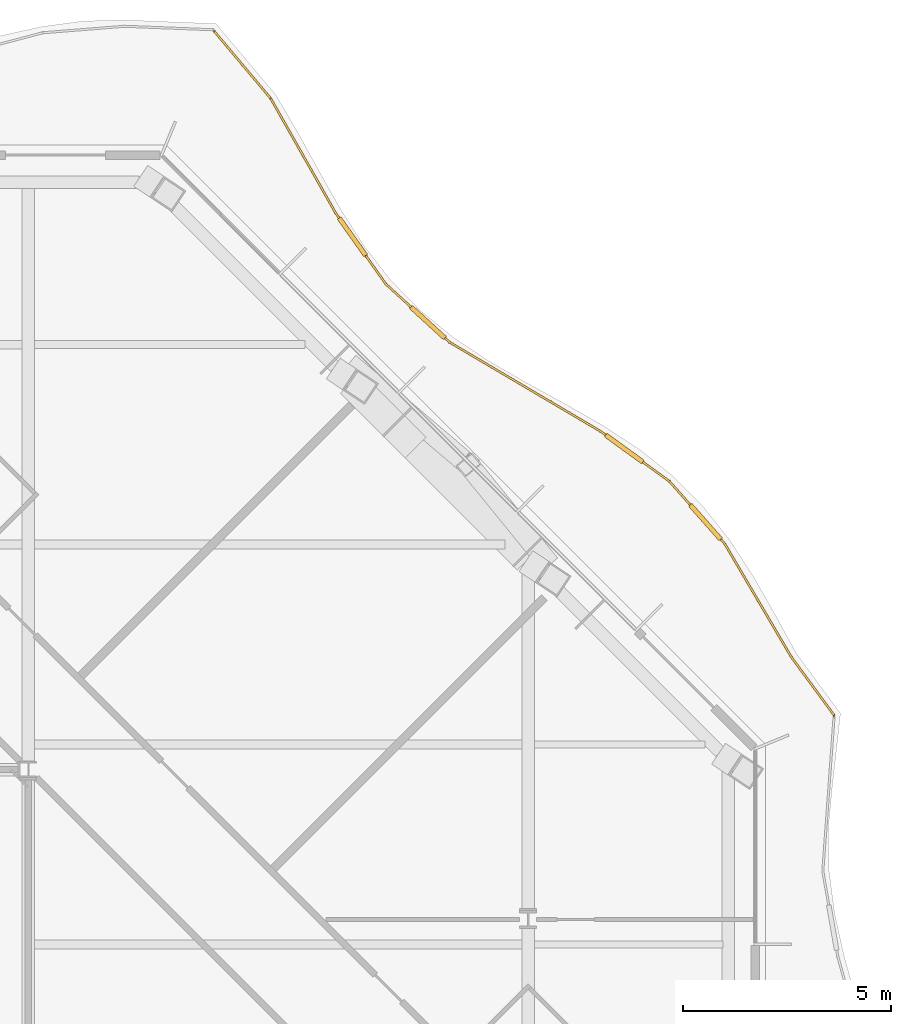
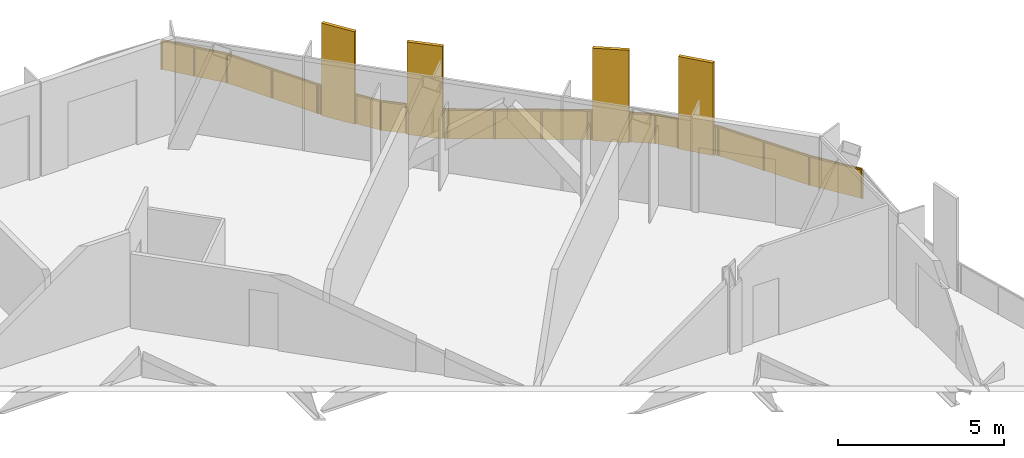
# One storey, part 21 of 21: 1 railing.
"""IFC4 building model written with IfcOpenShell, lengths in metres."""

from ifc_helpers import new_model, si_unit, direction, frame, origin, origin_2d, place, context, subcontext, project, spatial, polyline, rectangle, outline, extrude, material, type_object, element, save


model = new_model("IFC4")

# Units and contexts
model_context = context("Model", 3, precision=1e-05, world=origin(), true_north=direction((0.0, 1.0)))
body_context = subcontext(model_context, "Body", "Model", "MODEL_VIEW")
ifc_project = project(units=[si_unit("LENGTHUNIT", "METRE"), si_unit("AREAUNIT", "SQUARE_METRE"), si_unit("VOLUMEUNIT", "CUBIC_METRE"), si_unit("PLANEANGLEUNIT", "RADIAN"), si_unit("MASSUNIT", "GRAM", prefix="KILO")], contexts=[model_context])

# Site, building, storey
site_placement = place(None, origin())
site = spatial("IfcSite", under=ifc_project, at=site_placement, CompositionType="ELEMENT")
building_placement = place(site_placement, origin())
building = spatial("IfcBuilding", under=site, at=building_placement, Name="Cairn Pilgrim Tower", CompositionType="ELEMENT")
storey_placement = place(building_placement, frame((0.0, 0.0, 179.39990234375)))
storey = spatial("IfcBuildingStorey", under=building, at=storey_placement, Name="L45", CompositionType="ELEMENT", Elevation=179.39990234375)

# Railing
ifc_material = material(Name="Bronze anodised aluminium rail, posts and fin screens with laminated glass infill", Category="aluminium")
railing_type = type_object("IfcRailingType", Name="BALCONY GUARD WITH FIN SCREENS", PredefinedType="GUARDRAIL", material=ifc_material)
railing_placement = place(storey_placement, frame((38.547119140625, 14.501708984375, 0.0)))
element("IfcRailing", 1, at=railing_placement, inside=storey, type_object=railing_type, Name="Balcony guard BGF-4 with fin screens", PredefinedType="GUARDRAIL", context=body_context, shape_type="SweptSolid", body=[
    extrude(rectangle(XDim=0.050048828125, YDim=0.050048828125, at=origin_2d()), frame((0.0, 0.0, 1.0751953125), z_axis=(-0.592326047596, 0.805698363744, 0.0), x_axis=(-0.805698363744, -0.592326047596, 0.0)), (0.0, 0.0, 1.0), 1.73681640625),
    extrude(rectangle(XDim=0.050048828125, YDim=0.050048828125, at=origin_2d()), frame((-1.02880859375, 1.3994140625, 1.0751953125), z_axis=(-0.506721942903, 0.8621095479, 0.0), x_axis=(-0.8621095479, -0.506721942903, 0.0)), (0.0, 0.0, 1.0), 3.149169921875),
    extrude(rectangle(XDim=1.10009765625, YDim=0.110107421875, at=origin_2d()), frame((-3.088623046875, 4.638427734375, 0.0), z_axis=(0.0, 0.0, 1.0), x_axis=(-0.662846508612, 0.748755304503, 0.0)), (0.0, 0.0, 1.0), 3.39990234375),
    extrude(rectangle(XDim=0.050048828125, YDim=0.050048828125, at=origin_2d()), frame((-2.62451171875, 4.1142578125, 1.0751953125), z_axis=(-0.662846508612, 0.748755304503, 0.0), x_axis=(-0.748755304503, -0.662846508612, 0.0)), (0.0, 0.0, 1.0), 0.150146484375),
    extrude(rectangle(XDim=0.050048828125, YDim=0.050048828125, at=origin_2d()), frame((-3.453125, 5.05029296875, 1.0751953125), z_axis=(-0.662846508612, 0.748755304503, 0.0), x_axis=(-0.748755304503, -0.662846508612, 0.0)), (0.0, 0.0, 1.0), 0.759033203125),
    extrude(rectangle(XDim=1.10009765625, YDim=0.110107421875, at=origin_2d()), frame((-5.039306640625, 6.4052734375, 0.0), z_axis=(0.0, 0.0, 1.0), x_axis=(-0.80916056851, 0.587587588678, 0.0)), (0.0, 0.0, 1.0), 3.39990234375),
    extrude(rectangle(XDim=0.050048828125, YDim=0.050048828125, at=origin_2d()), frame((-3.956298828125, 5.61865234375, 1.0751953125), z_axis=(-0.80916056851, 0.587587588678, 0.0), x_axis=(-0.587587588678, -0.80916056851, 0.0)), (0.0, 0.0, 1.0), 0.78857421875),
    extrude(rectangle(XDim=0.050048828125, YDim=0.050048828125, at=origin_2d()), frame((-5.484375, 6.728271484375, 1.0751953125), z_axis=(-0.80916056851, 0.587587588678, 0.0), x_axis=(-0.587587588678, -0.80916056851, 0.0)), (0.0, 0.0, 1.0), 0.14990234375),
    extrude(rectangle(XDim=0.050048828125, YDim=0.050048828125, at=origin_2d()), frame((-5.605712890625, 6.81640625, 1.0751953125), z_axis=(-0.861327558171, 0.50805003448, 0.0), x_axis=(-0.50805003448, -0.861327558171, 0.0)), (0.0, 0.0, 1.0), 4.21484375),
    extrude(rectangle(XDim=1.10009765625, YDim=0.110107421875, at=origin_2d()), frame((-9.752685546875, 9.43017578125, 0.0), z_axis=(0.0, 0.0, 1.0), x_axis=(-0.738005319961, 0.674794893067, 0.0)), (0.0, 0.0, 1.0), 3.39990234375),
    extrude(rectangle(XDim=0.050048828125, YDim=0.050048828125, at=origin_2d()), frame((-9.236083984375, 8.957763671875, 1.0751953125), z_axis=(-0.738005319961, 0.674794893067, 0.0), x_axis=(-0.674794893067, -0.738005319961, 0.0)), (0.0, 0.0, 1.0), 0.150146484375),
    extrude(rectangle(XDim=0.050048828125, YDim=0.050048828125, at=origin_2d()), frame((-10.15869140625, 9.80126953125, 1.0751953125), z_axis=(-0.738005319961, 0.674794893067, 0.0), x_axis=(-0.674794893067, -0.738005319961, 0.0)), (0.0, 0.0, 1.0), 0.820068359375),
    extrude(rectangle(XDim=1.10009765625, YDim=0.110107421875, at=origin_2d()), frame((-11.566162109375, 11.490234375, 0.0), z_axis=(0.0, 0.0, 1.0), x_axis=(-0.577031680865, 0.816721763686, 0.0)), (0.0, 0.0, 1.0), 3.39990234375),
    extrude(rectangle(XDim=0.050048828125, YDim=0.050048828125, at=origin_2d()), frame((-10.763916015625, 10.354736328125, 1.0751953125), z_axis=(-0.577031680865, 0.816721763686, 0.0), x_axis=(-0.816721763686, -0.577031680865, 0.0)), (0.0, 0.0, 1.0), 0.84033203125),
    extrude(rectangle(XDim=0.050048828125, YDim=0.050048828125, at=origin_2d()), frame((-11.883544921875, 11.939453125, 1.0751953125), z_axis=(-0.577031680865, 0.816721763686, 0.0), x_axis=(-0.816721763686, -0.577031680865, 0.0)), (0.0, 0.0, 1.0), 0.14990234375),
    extrude(rectangle(XDim=0.050048828125, YDim=0.050048828125, at=origin_2d()), frame((-11.969970703125, 12.061767578125, 1.0751953125), z_axis=(-0.493135258194, 0.869952652232, 0.0), x_axis=(-0.869952652232, -0.493135258194, 0.0)), (0.0, 0.0, 1.0), 3.1630859375),
    extrude(rectangle(XDim=0.050048828125, YDim=0.050048828125, at=origin_2d()), frame((-13.52978515625, 14.8134765625, 1.0751953125), z_axis=(-0.643783332959, 0.765207828112, 0.0), x_axis=(-0.765207828112, -0.643783332959, 0.0)), (0.0, 0.0, 1.0), 2.091064453125),
    extrude(rectangle(XDim=0.050048828125, YDim=0.050048828125, at=origin_2d()), origin(), (0.0, 0.0, 1.0), 1.050048828125),
    extrude(rectangle(XDim=0.050048828125, YDim=0.050048828125, at=origin_2d()), frame((-1.02880859375, 1.3994140625, 0.0)), (0.0, 0.0, 1.0), 1.050048828125),
    extrude(rectangle(XDim=0.050048828125, YDim=0.050048828125, at=origin_2d()), frame((-1.82666015625, 2.7568359375, 0.0)), (0.0, 0.0, 1.0), 1.050048828125),
    extrude(rectangle(XDim=0.050048828125, YDim=0.050048828125, at=origin_2d()), frame((-2.62451171875, 4.1142578125, 0.0)), (0.0, 0.0, 1.0), 1.050048828125),
    extrude(rectangle(XDim=0.050048828125, YDim=0.050048828125, at=origin_2d()), frame((-2.70751953125, 4.2080078125, 0.0)), (0.0, 0.0, 1.0), 1.050048828125),
    extrude(rectangle(XDim=0.050048828125, YDim=0.050048828125, at=origin_2d()), frame((-3.4697265625, 5.069091796875, 0.0)), (0.0, 0.0, 1.0), 1.050048828125),
    extrude(rectangle(XDim=0.050048828125, YDim=0.050048828125, at=origin_2d()), frame((-3.956298828125, 5.61865234375, 0.0)), (0.0, 0.0, 1.0), 1.050048828125),
    extrude(rectangle(XDim=0.050048828125, YDim=0.050048828125, at=origin_2d()), frame((-4.57421875, 6.0673828125, 0.0)), (0.0, 0.0, 1.0), 1.050048828125),
    extrude(rectangle(XDim=0.050048828125, YDim=0.050048828125, at=origin_2d()), frame((-5.504638671875, 6.742919921875, 0.0)), (0.0, 0.0, 1.0), 1.050048828125),
    extrude(rectangle(XDim=0.050048828125, YDim=0.050048828125, at=origin_2d()), frame((-5.605712890625, 6.81640625, 0.0)), (0.0, 0.0, 1.0), 1.050048828125),
    extrude(rectangle(XDim=0.050048828125, YDim=0.050048828125, at=origin_2d()), frame((-6.81591796875, 7.5302734375, 0.0)), (0.0, 0.0, 1.0), 1.050048828125),
    extrude(rectangle(XDim=0.050048828125, YDim=0.050048828125, at=origin_2d()), frame((-8.02587890625, 8.243896484375, 0.0)), (0.0, 0.0, 1.0), 1.050048828125),
    extrude(rectangle(XDim=0.050048828125, YDim=0.050048828125, at=origin_2d()), frame((-9.236083984375, 8.957763671875, 0.0)), (0.0, 0.0, 1.0), 1.050048828125),
    extrude(rectangle(XDim=0.050048828125, YDim=0.050048828125, at=origin_2d()), frame((-9.328369140625, 9.042236328125, 0.0)), (0.0, 0.0, 1.0), 1.050048828125),
    extrude(rectangle(XDim=0.050048828125, YDim=0.050048828125, at=origin_2d()), frame((-10.17724609375, 9.818359375, 0.0)), (0.0, 0.0, 1.0), 1.050048828125),
    extrude(rectangle(XDim=0.050048828125, YDim=0.050048828125, at=origin_2d()), frame((-10.763916015625, 10.354736328125, 0.0)), (0.0, 0.0, 1.0), 1.050048828125),
    extrude(rectangle(XDim=0.050048828125, YDim=0.050048828125, at=origin_2d()), frame((-11.234375, 11.0205078125, 0.0)), (0.0, 0.0, 1.0), 1.050048828125),
    extrude(rectangle(XDim=0.050048828125, YDim=0.050048828125, at=origin_2d()), frame((-11.89794921875, 11.959716796875, 0.0)), (0.0, 0.0, 1.0), 1.050048828125),
    extrude(rectangle(XDim=0.050048828125, YDim=0.050048828125, at=origin_2d()), frame((-11.969970703125, 12.061767578125, 0.0)), (0.0, 0.0, 1.0), 1.050048828125),
    extrude(rectangle(XDim=0.050048828125, YDim=0.050048828125, at=origin_2d()), frame((-12.75, 13.4375, 0.0)), (0.0, 0.0, 1.0), 1.050048828125),
    extrude(rectangle(XDim=0.050048828125, YDim=0.050048828125, at=origin_2d()), frame((-13.52978515625, 14.8134765625, 0.0)), (0.0, 0.0, 1.0), 1.050048828125),
    extrude(rectangle(XDim=0.050048828125, YDim=0.050048828125, at=origin_2d()), frame((-14.202880859375, 15.613525390625, 0.0)), (0.0, 0.0, 1.0), 1.050048828125),
    extrude(rectangle(XDim=0.050048828125, YDim=0.050048828125, at=origin_2d()), frame((-14.8759765625, 16.41357421875, 0.0)), (0.0, 0.0, 1.0), 1.050048828125),
    extrude(outline(polyline([(0.02490234375, 0.0), (1.7119140625, 0.0), (1.7119140625, 1.050048828125), (0.02490234375, 1.050048828125), (0.02490234375, 0.0)])), frame((-0.0048828125, -0.003662109375, 0.0), z_axis=(0.805698363744, 0.592326047596, 0.0), x_axis=(-0.592326047596, 0.805698363744, 0.0)), (0.0, 0.0, 1.0), 0.011962890625),
    extrude(outline(polyline([(0.02490234375, 0.0), (1.549560546875, 0.0), (1.549560546875, 1.050048828125), (0.02490234375, 1.050048828125), (0.02490234375, 0.0)])), frame((-1.033935546875, 1.396484375, 0.0), z_axis=(0.8621095479, 0.506721942903, 0.0), x_axis=(-0.506721942903, 0.8621095479, 0.0)), (0.0, 0.0, 1.0), 0.011962890625),
    extrude(outline(polyline([(0.02490234375, 0.0), (1.549560546875, 0.0), (1.549560546875, 1.050048828125), (0.02490234375, 1.050048828125), (0.02490234375, 0.0)])), frame((-1.831787109375, 2.75390625, 0.0), z_axis=(0.8621095479, 0.506721942903, 0.0), x_axis=(-0.506721942903, 0.8621095479, 0.0)), (0.0, 0.0, 1.0), 0.011962890625),
    extrude(outline(polyline([(0.02490234375, 0.0), (0.10009765625, 0.0), (0.10009765625, 1.050048828125), (0.02490234375, 1.050048828125), (0.02490234375, 0.0)])), frame((-2.62890625, 4.1103515625, 0.0), z_axis=(0.748755304503, 0.662846508612, 0.0), x_axis=(-0.662846508612, 0.748755304503, 0.0)), (0.0, 0.0, 1.0), 0.011962890625),
    extrude(outline(polyline([(0.02490234375, 0.0), (0.708984375, 0.0), (0.708984375, 1.050048828125), (0.02490234375, 1.050048828125), (0.02490234375, 0.0)])), frame((-3.47412109375, 5.065185546875, 0.0), z_axis=(0.748755304503, 0.662846508612, 0.0), x_axis=(-0.662846508612, 0.748755304503, 0.0)), (0.0, 0.0, 1.0), 0.011962890625),
    extrude(outline(polyline([(0.02490234375, 0.0), (0.738525390625, 0.0), (0.738525390625, 1.050048828125), (0.02490234375, 1.050048828125), (0.02490234375, 0.0)])), frame((-3.959716796875, 5.61376953125, 0.0), z_axis=(0.587587588678, 0.80916056851, 0.0), x_axis=(-0.80916056851, 0.587587588678, 0.0)), (0.0, 0.0, 1.0), 0.011962890625),
    extrude(outline(polyline([(0.02490234375, 0.0), (0.099853515625, 0.0), (0.099853515625, 1.050048828125), (0.02490234375, 1.050048828125), (0.02490234375, 0.0)])), frame((-5.50830078125, 6.73828125, 0.0), z_axis=(0.587587588678, 0.80916056851, 0.0), x_axis=(-0.80916056851, 0.587587588678, 0.0)), (0.0, 0.0, 1.0), 0.011962890625),
    extrude(outline(polyline([(0.02490234375, 0.0), (1.3798828125, 0.0), (1.3798828125, 1.050048828125), (0.02490234375, 1.050048828125), (0.02490234375, 0.0)])), frame((-5.608642578125, 6.811279296875, 0.0), z_axis=(0.50805003448, 0.861327558171, 0.0), x_axis=(-0.861327558171, 0.50805003448, 0.0)), (0.0, 0.0, 1.0), 0.011962890625),
    extrude(outline(polyline([(0.02490234375, 0.0), (1.3798828125, 0.0), (1.3798828125, 1.050048828125), (0.02490234375, 1.050048828125), (0.02490234375, 0.0)])), frame((-6.81884765625, 7.525146484375, 0.0), z_axis=(0.50805003448, 0.861327558171, 0.0), x_axis=(-0.861327558171, 0.50805003448, 0.0)), (0.0, 0.0, 1.0), 0.011962890625),
    extrude(outline(polyline([(0.02490234375, 0.0), (1.3798828125, 0.0), (1.3798828125, 1.050048828125), (0.02490234375, 1.050048828125), (0.02490234375, 0.0)])), frame((-8.029052734375, 8.23876953125, 0.0), z_axis=(0.50805003448, 0.861327558171, 0.0), x_axis=(-0.861327558171, 0.50805003448, 0.0)), (0.0, 0.0, 1.0), 0.011962890625),
    extrude(outline(polyline([(0.02490234375, 0.0), (0.10009765625, 0.0), (0.10009765625, 1.050048828125), (0.02490234375, 1.050048828125), (0.02490234375, 0.0)])), frame((-9.240234375, 8.953369140625, 0.0), z_axis=(0.674794893067, 0.738005319961, 0.0), x_axis=(-0.738005319961, 0.674794893067, 0.0)), (0.0, 0.0, 1.0), 0.011962890625),
    extrude(outline(polyline([(0.02490234375, 0.0), (0.77001953125, 0.0), (0.77001953125, 1.050048828125), (0.02490234375, 1.050048828125), (0.02490234375, 0.0)])), frame((-10.18115234375, 9.813720703125, 0.0), z_axis=(0.674794893067, 0.738005319961, 0.0), x_axis=(-0.738005319961, 0.674794893067, 0.0)), (0.0, 0.0, 1.0), 0.011962890625),
    extrude(outline(polyline([(0.02490234375, 0.0), (0.790283203125, 0.0), (0.790283203125, 1.050048828125), (0.02490234375, 1.050048828125), (0.02490234375, 0.0)])), frame((-10.768798828125, 10.351318359375, 0.0), z_axis=(0.816721763686, 0.577031680865, 0.0), x_axis=(-0.577031680865, 0.816721763686, 0.0)), (0.0, 0.0, 1.0), 0.011962890625),
    extrude(outline(polyline([(0.02490234375, 0.0), (0.099853515625, 0.0), (0.099853515625, 1.050048828125), (0.02490234375, 1.050048828125), (0.02490234375, 0.0)])), frame((-11.90283203125, 11.956298828125, 0.0), z_axis=(0.816721763686, 0.577031680865, 0.0), x_axis=(-0.577031680865, 0.816721763686, 0.0)), (0.0, 0.0, 1.0), 0.011962890625),
    extrude(outline(polyline([(0.02490234375, 0.0), (1.556396484375, 0.0), (1.556396484375, 1.050048828125), (0.02490234375, 1.050048828125), (0.02490234375, 0.0)])), frame((-11.97509765625, 12.058837890625, 0.0), z_axis=(0.869952652232, 0.493135258194, 0.0), x_axis=(-0.493135258194, 0.869952652232, 0.0)), (0.0, 0.0, 1.0), 0.011962890625),
    extrude(outline(polyline([(0.02490234375, 0.0), (1.556396484375, 0.0), (1.556396484375, 1.050048828125), (0.02490234375, 1.050048828125), (0.02490234375, 0.0)])), frame((-12.755126953125, 13.4345703125, 0.0), z_axis=(0.869952652232, 0.493135258194, 0.0), x_axis=(-0.493135258194, 0.869952652232, 0.0)), (0.0, 0.0, 1.0), 0.011962890625),
    extrude(outline(polyline([(0.02490234375, 0.0), (1.0205078125, 0.0), (1.0205078125, 1.050048828125), (0.02490234375, 1.050048828125), (0.02490234375, 0.0)])), frame((-13.534423828125, 14.8095703125, 0.0), z_axis=(0.765207828112, 0.643783332959, 0.0), x_axis=(-0.643783332959, 0.765207828112, 0.0)), (0.0, 0.0, 1.0), 0.011962890625),
    extrude(outline(polyline([(0.02490234375, 0.0), (1.0205078125, 0.0), (1.0205078125, 1.050048828125), (0.02490234375, 1.050048828125), (0.02490234375, 0.0)])), frame((-14.20751953125, 15.609619140625, 0.0), z_axis=(0.765207828112, 0.643783332959, 0.0), x_axis=(-0.643783332959, 0.765207828112, 0.0)), (0.0, 0.0, 1.0), 0.011962890625),
])

save(model, "model.ifc")
